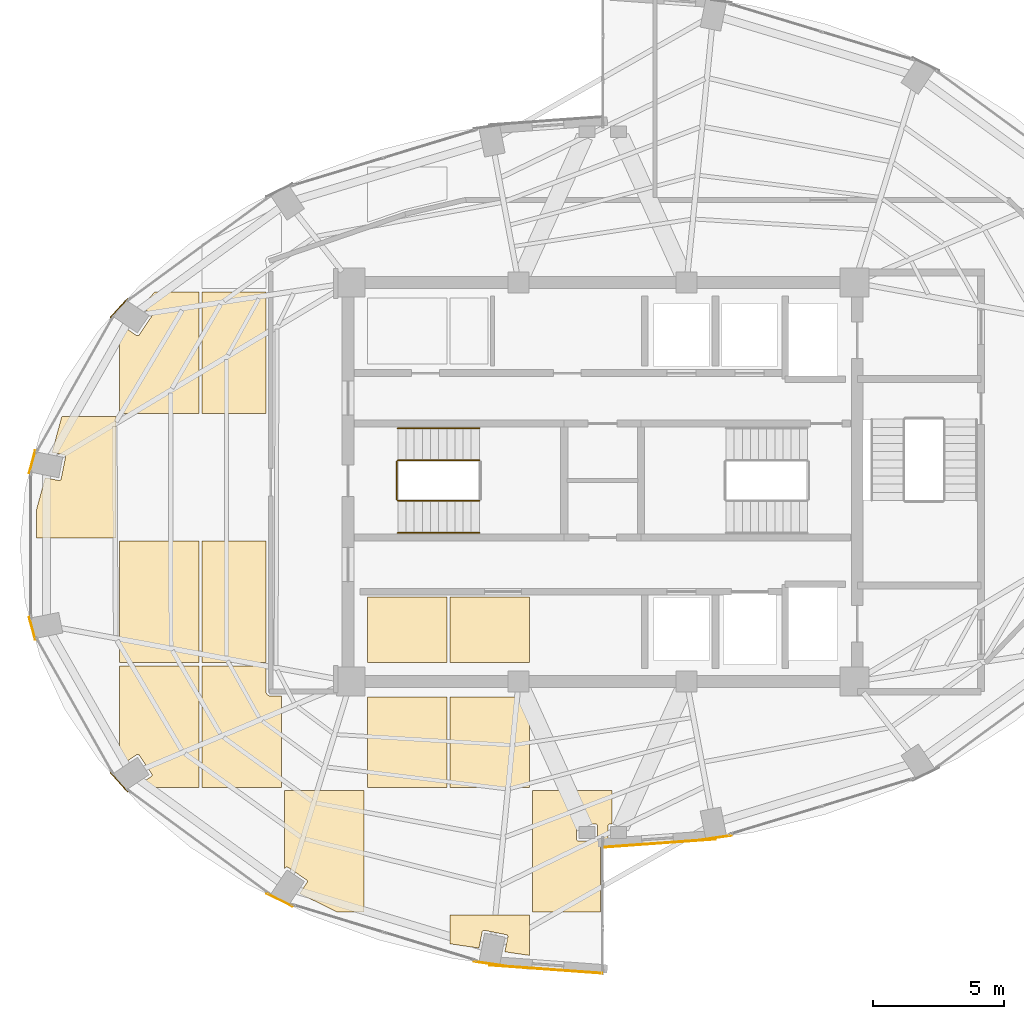
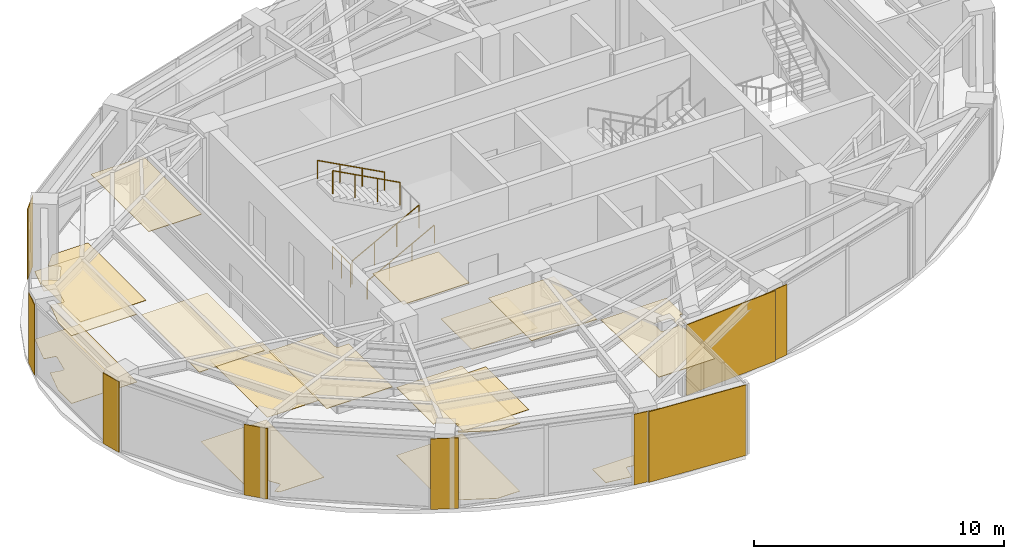
# One storey, part 21 of 22: 25 coverings, 5 railings.
"""IFC4 building model written with IfcOpenShell, lengths in metres."""

from ifc_helpers import new_model, si_unit, direction, frame, origin, origin_2d, place, context, subcontext, project, spatial, polyline, rectangle, circle, outline, extrude, material, layer, layer_set, type_object, element, save


model = new_model("IFC4")

# Units and contexts
model_context = context("Model", 3, precision=1e-05, world=origin(), true_north=direction((0.0, 1.0)))
body_context = subcontext(model_context, "Body", "Model", "MODEL_VIEW")
ifc_project = project(units=[si_unit("LENGTHUNIT", "METRE"), si_unit("AREAUNIT", "SQUARE_METRE"), si_unit("VOLUMEUNIT", "CUBIC_METRE"), si_unit("PLANEANGLEUNIT", "RADIAN"), si_unit("MASSUNIT", "GRAM", prefix="KILO")], contexts=[model_context])

# Site, building, storey
site_placement = place(None, origin())
site = spatial("IfcSite", under=ifc_project, at=site_placement, CompositionType="ELEMENT")
building_placement = place(site_placement, origin())
building = spatial("IfcBuilding", under=site, at=building_placement, Name="Lazwardi Medical Tower", CompositionType="ELEMENT")
storey_placement = place(building_placement, frame((0.0, 0.0, 255.02392578125)))
storey = spatial("IfcBuildingStorey", under=building, at=storey_placement, Name="L66", CompositionType="ELEMENT", Elevation=255.02392578125)

# Coverings
ifc_material_1 = material(Name="Anodised bronze aluminium cassette cladding", Category="aluminium")
ifc_layer_1 = layer(ifc_material_1, 0.030029296875)
ifc_layer_set_1 = layer_set([ifc_layer_1], Name="Anodised bronze aluminium cassette cladding")
covering_type_1 = type_object("IfcCoveringType", Name="COV-CLD-BRZ", PredefinedType="CLADDING", material=ifc_layer_set_1)
covering_1_placement = place(storey_placement, frame((40.3232421875, 14.450439453125, 0.0), z_axis=(0.0, 0.0, 1.0), x_axis=(0.989512431533, 0.144447733943, 0.0)))
element("IfcCovering", 1, at=covering_1_placement, inside=storey, type_object=covering_type_1, Name="L66 Mega-column bronze cassette cover M01", PredefinedType="CLADDING", context=body_context, shape_type="SweptSolid", body=[
    extrude(rectangle(XDim=1.188720703125, YDim=0.030029296875, at=origin_2d()), origin(), (0.0, 0.0, 1.0), 3.447998046875),
])
covering_2_placement = place(storey_placement, frame((17.57470703125, 34.634765625, 0.0), z_axis=(0.0, 0.0, 1.0), x_axis=(-0.673240970654, -0.739423150458, 0.0)))
element("IfcCovering", 2, at=covering_2_placement, inside=storey, type_object=covering_type_1, Name="L66 Mega-column bronze cassette cover M11", PredefinedType="CLADDING", context=body_context, shape_type="SweptSolid", body=[
    extrude(rectangle(XDim=0.98974609375, YDim=0.030029296875, at=origin_2d()), origin(), (0.0, 0.0, 1.0), 3.447998046875),
])
for number, where, z_axis, x_axis, name in (
    (3, (14.265869140625, 28.772705078125, 0.0), (0.0, 0.0, 1.0), (-0.261641748247, -0.96516506131, 0.0), "L66 Mega-column bronze cassette cover M12"),
    (4, (14.265869140625, 22.427490234375, 0.0), (0.0, 0.0, 1.0), (0.261641748247, -0.96516506131, 0.0), "L66 Mega-column bronze cassette cover M13"),
):
    element("IfcCovering", number, at=place(storey_placement, frame(where, z_axis=z_axis, x_axis=x_axis)), inside=storey, type_object=covering_type_1, Name=name, PredefinedType="CLADDING", context=body_context, shape_type="SweptSolid", body=[
        extrude(rectangle(XDim=0.894287109375, YDim=0.030029296875, at=origin_2d()), origin(), (0.0, 0.0, 1.0), 3.447998046875),
    ])
covering_3_placement = place(storey_placement, frame((17.57470703125, 16.565185546875, 0.0), z_axis=(0.0, 0.0, 1.0), x_axis=(0.673240970654, -0.739423150458, 0.0)))
element("IfcCovering", 5, at=covering_3_placement, inside=storey, type_object=covering_type_1, Name="L66 Mega-column bronze cassette cover M14", PredefinedType="CLADDING", context=body_context, shape_type="SweptSolid", body=[
    extrude(rectangle(XDim=0.98974609375, YDim=0.030029296875, at=origin_2d()), origin(), (0.0, 0.0, 1.0), 3.447998046875),
])
covering_4_placement = place(storey_placement, frame((23.688720703125, 12.07861328125, 0.0), z_axis=(0.0, 0.0, 1.0), x_axis=(0.897840141691, -0.440321564278, 0.0)))
element("IfcCovering", 6, at=covering_4_placement, inside=storey, type_object=covering_type_1, Name="L66 Mega-column bronze cassette cover M15", PredefinedType="CLADDING", context=body_context, shape_type="SweptSolid", body=[
    extrude(rectangle(XDim=1.110595703125, YDim=0.030029296875, at=origin_2d()), origin(), (0.0, 0.0, 1.0), 3.447998046875),
])
covering_5_placement = place(storey_placement, frame((31.6767578125, 9.650390625, 0.0), z_axis=(0.0, 0.0, 1.0), x_axis=(0.989512431533, -0.144447733943, 0.0)))
element("IfcCovering", 7, at=covering_5_placement, inside=storey, type_object=covering_type_1, Name="L66 Mega-column bronze cassette cover M16", PredefinedType="CLADDING", context=body_context, shape_type="SweptSolid", body=[
    extrude(rectangle(XDim=1.188720703125, YDim=0.030029296875, at=origin_2d()), origin(), (0.0, 0.0, 1.0), 3.447998046875),
])
ifc_material_2 = material(Name="Turquoise glazed ceramic tilework cladding", Category="masonry")
ifc_layer_2 = layer(ifc_material_2, 0.034912109375)
ifc_layer_set_2 = layer_set([ifc_layer_2], Name="Turquoise glazed ceramic tilework cladding")
covering_type_2 = type_object("IfcCoveringType", Name="COV-CLD-TRQ", PredefinedType="CLADDING", material=ifc_layer_set_2)
covering_6_placement = place(storey_placement, frame((38.16259765625, 14.239990234375, 0.0), z_axis=(0.0, 0.0, 1.0), x_axis=(0.997409491337, 0.071932653157, 0.0)))
element("IfcCovering", 8, at=covering_6_placement, inside=storey, type_object=covering_type_2, Name="L66 Turquoise glazed ceramic tilework cladding", PredefinedType="CLADDING", context=body_context, shape_type="SweptSolid", body=[
    extrude(rectangle(XDim=4.31103515625, YDim=0.034912109375, at=origin_2d()), origin(), (0.0, 0.0, 1.0), 3.447998046875),
])
covering_7_placement = place(storey_placement, frame((33.83740234375, 9.43994140625, 0.0), z_axis=(0.0, 0.0, 1.0), x_axis=(0.997408989128, -0.071939616387, 0.0)))
element("IfcCovering", 9, at=covering_7_placement, inside=storey, type_object=covering_type_2, Name="L66 Turquoise glazed ceramic tilework cladding", PredefinedType="CLADDING", context=body_context, shape_type="SweptSolid", body=[
    extrude(rectangle(XDim=4.310546875, YDim=0.034912109375, at=origin_2d()), origin(), (0.0, 0.0, 1.0), 3.447998046875),
])
ifc_material_3 = material(Name="Acoustic mineral fibre tile")
ifc_layer_3 = layer(ifc_material_3, 0.02490234375)
ifc_layer_set_3 = layer_set([ifc_layer_3], Name="Acoustic mineral fibre tile")
covering_type_3 = type_object("IfcCoveringType", Name="COV-CLG-01", PredefinedType="CEILING", material=ifc_layer_set_3)
covering_8_placement = place(storey_placement, frame((0.0, 0.0, 3.302978515625)))
element("IfcCovering", 10, at=covering_8_placement, inside=storey, type_object=covering_type_3, Name="L66 Clinical Acoustic Ceiling 1", PredefinedType="CEILING", context=body_context, shape_type="SweptSolid", body=[
    extrude(outline(polyline([(15.39501953125, 30.50244140625), (15.0224609375, 29.13134765625), (15.4716796875, 29.0419921875), (15.479248046875, 29.040283203125), (15.486572265625, 29.03759765625), (15.49365234375, 29.0341796875), (15.50048828125, 29.030029296875), (15.5068359375, 29.025390625), (15.5126953125, 29.020263671875), (15.517822265625, 29.014404296875), (15.5224609375, 29.008056640625), (15.526611328125, 29.001220703125), (15.52978515625, 28.994140625), (15.53271484375, 28.98681640625), (15.534423828125, 28.979248046875), (15.53564453125, 28.971435546875), (15.535888671875, 28.963623046875), (15.53564453125, 28.955810546875), (15.534423828125, 28.947998046875), (15.37060546875, 28.124267578125), (15.36865234375, 28.11669921875), (15.365966796875, 28.109130859375), (15.36279296875, 28.10205078125), (15.358642578125, 28.095458984375), (15.35400390625, 28.089111328125), (15.3486328125, 28.083251953125), (15.343017578125, 28.077880859375), (15.33642578125, 28.0732421875), (15.329833984375, 28.069091796875), (15.32275390625, 28.06591796875), (15.315185546875, 28.063232421875), (15.3076171875, 28.061279296875), (15.2998046875, 28.060302734375), (15.2919921875, 28.059814453125), (15.2841796875, 28.060302734375), (15.276611328125, 28.061279296875), (14.759521484375, 28.1640625), (14.432861328125, 26.961669921875), (14.432861328125, 25.87255859375), (17.462890625, 25.87255859375), (17.462890625, 30.50244140625), (15.39501953125, 30.50244140625)])), origin(), (0.0, 0.0, 1.0), 0.025146484375),
])
covering_9_placement = place(storey_placement, frame((0.0, 0.0, 3.302978515625)))
element("IfcCovering", 11, at=covering_9_placement, inside=storey, type_object=covering_type_3, Name="L66 Clinical Acoustic Ceiling 2", PredefinedType="CEILING", context=body_context, shape_type="SweptSolid", body=[
    extrude(outline(polyline([(20.61279296875, 21.12255859375), (20.61279296875, 25.75244140625), (17.5830078125, 25.75244140625), (17.5830078125, 21.12255859375), (20.61279296875, 21.12255859375)])), origin(), (0.0, 0.0, 1.0), 0.025146484375),
])
covering_10_placement = place(storey_placement, frame((0.0, 0.0, 3.302978515625)))
element("IfcCovering", 12, at=covering_10_placement, inside=storey, type_object=covering_type_3, Name="L66 Clinical Acoustic Ceiling 3", PredefinedType="CEILING", context=body_context, shape_type="SweptSolid", body=[
    extrude(outline(polyline([(23.762939453125, 19.844970703125), (23.35009765625, 19.844970703125), (23.345703125, 19.84521484375), (23.33642578125, 19.845703125), (23.32958984375, 19.84619140625), (23.3203125, 19.84765625), (23.31201171875, 19.84912109375), (23.302734375, 19.8515625), (23.2958984375, 19.853515625), (23.287109375, 19.856689453125), (23.279296875, 19.860107421875), (23.270751953125, 19.864013671875), (23.263916015625, 19.86767578125), (23.256103515625, 19.872314453125), (23.249267578125, 19.876953125), (23.24169921875, 19.882568359375), (23.236083984375, 19.88720703125), (23.229248046875, 19.893310546875), (23.223388671875, 19.8994140625), (23.217041015625, 19.90625), (23.21240234375, 19.911865234375), (23.206787109375, 19.919189453125), (23.202392578125, 19.926025390625), (23.197509765625, 19.93408203125), (23.194091796875, 19.94091796875), (23.18994140625, 19.94921875), (23.186767578125, 19.95703125), (23.18359375, 19.9658203125), (23.181396484375, 19.972900390625), (23.17919921875, 19.98193359375), (23.177490234375, 19.990234375), (23.17626953125, 19.99951171875), (23.175537109375, 20.00634765625), (23.175048828125, 20.015625), (23.175048828125, 20.02001953125), (23.175048828125, 21.00244140625), (20.73291015625, 21.00244140625), (20.73291015625, 16.37255859375), (23.762939453125, 16.37255859375), (23.762939453125, 19.844970703125)])), origin(), (0.0, 0.0, 1.0), 0.025146484375),
])
covering_11_placement = place(storey_placement, frame((0.0, 0.0, 3.302978515625)))
element("IfcCovering", 13, at=covering_11_placement, inside=storey, type_object=covering_type_3, Name="L66 Clinical Acoustic Ceiling 4", PredefinedType="CEILING", context=body_context, shape_type="SweptSolid", body=[
    extrude(outline(polyline([(23.175048828125, 30.62255859375), (23.175048828125, 35.25244140625), (20.73291015625, 35.25244140625), (20.73291015625, 30.62255859375), (23.175048828125, 30.62255859375)])), origin(), (0.0, 0.0, 1.0), 0.025146484375),
])
covering_12_placement = place(storey_placement, frame((0.0, 0.0, 3.302978515625)))
element("IfcCovering", 14, at=covering_12_placement, inside=storey, type_object=covering_type_3, Name="L66 Clinical Acoustic Ceiling 5", PredefinedType="CEILING", context=body_context, shape_type="SweptSolid", body=[
    extrude(outline(polyline([(23.8828125, 13.27099609375), (23.900634765625, 13.297607421875), (23.905517578125, 13.303955078125), (23.91064453125, 13.309814453125), (23.91650390625, 13.31494140625), (23.9228515625, 13.319580078125), (23.929443359375, 13.32373046875), (23.9365234375, 13.3271484375), (23.944091796875, 13.329833984375), (23.95166015625, 13.331787109375), (23.95947265625, 13.332763671875), (23.96728515625, 13.333251953125), (23.97509765625, 13.332763671875), (23.98291015625, 13.331787109375), (23.990478515625, 13.329833984375), (23.997802734375, 13.3271484375), (24.0048828125, 13.32373046875), (24.01171875, 13.319580078125), (24.7099609375, 12.85302734375), (24.71630859375, 12.848388671875), (24.72216796875, 12.843017578125), (24.727294921875, 12.83740234375), (24.732177734375, 12.830810546875), (24.736083984375, 12.82421875), (24.739501953125, 12.817138671875), (24.7421875, 12.809814453125), (24.744140625, 12.802001953125), (24.7451171875, 12.794189453125), (24.74560546875, 12.78662109375), (24.7451171875, 12.77880859375), (24.744140625, 12.77099609375), (24.7421875, 12.76318359375), (24.739501953125, 12.755859375), (24.736083984375, 12.748779296875), (24.732177734375, 12.7421875), (24.4521484375, 12.322998046875), (25.8837890625, 11.62255859375), (26.912841796875, 11.62255859375), (26.912841796875, 16.25244140625), (23.8828125, 16.25244140625), (23.8828125, 13.27099609375)])), origin(), (0.0, 0.0, 1.0), 0.025146484375),
])
covering_13_placement = place(storey_placement, frame((0.0, 0.0, 3.302978515625)))
element("IfcCovering", 15, at=covering_13_placement, inside=storey, type_object=covering_type_3, Name="L66 Clinical Acoustic Ceiling 6", PredefinedType="CEILING", context=body_context, shape_type="SweptSolid", body=[
    extrude(outline(polyline([(30.06298828125, 23.6201171875), (27.032958984375, 23.6201171875), (27.032958984375, 21.12255859375), (30.06298828125, 21.12255859375), (30.06298828125, 23.6201171875)])), origin(), (0.0, 0.0, 1.0), 0.025146484375),
])
covering_14_placement = place(storey_placement, frame((0.0, 0.0, 3.302978515625)))
element("IfcCovering", 16, at=covering_14_placement, inside=storey, type_object=covering_type_3, Name="L66 Clinical Acoustic Ceiling 8", PredefinedType="CEILING", context=body_context, shape_type="SweptSolid", body=[
    extrude(outline(polyline([(33.212890625, 19.820068359375), (30.182861328125, 19.820068359375), (30.182861328125, 16.37255859375), (33.212890625, 16.37255859375), (33.212890625, 19.820068359375)])), origin(), (0.0, 0.0, 1.0), 0.025146484375),
])
covering_15_placement = place(storey_placement, frame((0.0, 0.0, 3.302978515625)))
element("IfcCovering", 17, at=covering_15_placement, inside=storey, type_object=covering_type_3, Name="L66 Clinical Acoustic Ceiling 10", PredefinedType="CEILING", context=body_context, shape_type="SweptSolid", body=[
    extrude(outline(polyline([(35.919921875, 11.62255859375), (35.919921875, 14.280029296875), (35.92041015625, 14.28759765625), (35.92138671875, 14.295166015625), (35.923095703125, 14.302490234375), (35.92578125, 14.309814453125), (35.928955078125, 14.316650390625), (35.9326171875, 14.3232421875), (35.93701171875, 14.329345703125), (35.94189453125, 14.335205078125), (35.947509765625, 14.34033203125), (35.95361328125, 14.34521484375), (35.9599609375, 14.34912109375), (35.966796875, 14.352783203125), (35.9736328125, 14.355712890625), (35.98095703125, 14.357666015625), (35.988525390625, 14.359130859375), (36.201416015625, 14.39013671875), (36.200439453125, 14.397216796875), (36.199951171875, 14.405029296875), (36.199951171875, 14.89501953125), (36.200439453125, 14.90283203125), (36.201416015625, 14.91064453125), (36.203369140625, 14.918212890625), (36.2060546875, 14.925537109375), (36.20947265625, 14.9326171875), (36.21337890625, 14.939453125), (36.21826171875, 14.94580078125), (36.223388671875, 14.95166015625), (36.229248046875, 14.956787109375), (36.235595703125, 14.96142578125), (36.2421875, 14.965576171875), (36.24951171875, 14.968994140625), (36.2568359375, 14.9716796875), (36.264404296875, 14.973388671875), (36.272216796875, 14.974609375), (36.280029296875, 14.97509765625), (36.36279296875, 14.97509765625), (36.36279296875, 16.25244140625), (33.3330078125, 16.25244140625), (33.3330078125, 11.62255859375), (35.919921875, 11.62255859375)]), holes=[polyline([(35.735595703125, 14.326416015625), (35.727783203125, 14.325439453125), (35.719970703125, 14.324951171875), (35.080078125, 14.324951171875), (35.072265625, 14.325439453125), (35.064453125, 14.326416015625), (35.056884765625, 14.328369140625), (35.04931640625, 14.3310546875), (35.042236328125, 14.33447265625), (35.03564453125, 14.33837890625), (35.029296875, 14.34326171875), (35.0234375, 14.348388671875), (35.018310546875, 14.354248046875), (35.013427734375, 14.360595703125), (35.009521484375, 14.3671875), (35.006103515625, 14.37451171875), (35.00341796875, 14.3818359375), (35.00146484375, 14.389404296875), (35.00048828125, 14.397216796875), (35.0, 14.405029296875), (35.0, 14.89501953125), (35.00048828125, 14.90283203125), (35.00146484375, 14.91064453125), (35.00341796875, 14.918212890625), (35.006103515625, 14.925537109375), (35.009521484375, 14.9326171875), (35.013427734375, 14.939453125), (35.018310546875, 14.94580078125), (35.0234375, 14.95166015625), (35.029296875, 14.956787109375), (35.03564453125, 14.96142578125), (35.042236328125, 14.965576171875), (35.04931640625, 14.968994140625), (35.056884765625, 14.9716796875), (35.064453125, 14.973388671875), (35.072265625, 14.974609375), (35.080078125, 14.97509765625), (35.719970703125, 14.97509765625), (35.727783203125, 14.974609375), (35.735595703125, 14.973388671875), (35.7431640625, 14.9716796875), (35.75048828125, 14.968994140625), (35.7578125, 14.965576171875), (35.764404296875, 14.96142578125), (35.770751953125, 14.956787109375), (35.776611328125, 14.95166015625), (35.78173828125, 14.94580078125), (35.78662109375, 14.939453125), (35.79052734375, 14.9326171875), (35.7939453125, 14.925537109375), (35.796630859375, 14.918212890625), (35.798583984375, 14.91064453125), (35.799560546875, 14.90283203125), (35.800048828125, 14.89501953125), (35.800048828125, 14.405029296875), (35.799560546875, 14.397216796875), (35.798583984375, 14.389404296875), (35.796630859375, 14.3818359375), (35.7939453125, 14.37451171875), (35.79052734375, 14.3671875), (35.78662109375, 14.360595703125), (35.78173828125, 14.354248046875), (35.776611328125, 14.348388671875), (35.770751953125, 14.34326171875), (35.764404296875, 14.33837890625), (35.7578125, 14.33447265625), (35.75048828125, 14.3310546875), (35.7431640625, 14.328369140625), (35.735595703125, 14.326416015625)])]), origin(), (0.0, 0.0, 1.0), 0.025146484375),
])
ifc_material_4 = material(Name="Anti-static hospital vinyl sheet flooring")
ifc_layer_4 = layer(ifc_material_4, 0.014892578125)
ifc_layer_set_4 = layer_set([ifc_layer_4], Name="Anti-static hospital vinyl sheet flooring")
covering_type_4 = type_object("IfcCoveringType", Name="COV-FLR-01", PredefinedType="FLOORING", material=ifc_layer_set_4)
covering_16_placement = place(storey_placement, origin())
element("IfcCovering", 18, at=covering_16_placement, inside=storey, type_object=covering_type_4, Name="L66 Clinical Vinyl Flooring 1", PredefinedType="FLOORING", context=body_context, shape_type="SweptSolid", body=[
    extrude(outline(polyline([(15.39501953125, 30.50244140625), (15.0224609375, 29.13134765625), (15.4716796875, 29.0419921875), (15.479248046875, 29.040283203125), (15.486572265625, 29.03759765625), (15.49365234375, 29.0341796875), (15.50048828125, 29.030029296875), (15.5068359375, 29.025390625), (15.5126953125, 29.020263671875), (15.517822265625, 29.014404296875), (15.5224609375, 29.008056640625), (15.526611328125, 29.001220703125), (15.52978515625, 28.994140625), (15.53271484375, 28.98681640625), (15.534423828125, 28.979248046875), (15.53564453125, 28.971435546875), (15.535888671875, 28.963623046875), (15.53564453125, 28.955810546875), (15.534423828125, 28.947998046875), (15.37060546875, 28.124267578125), (15.36865234375, 28.11669921875), (15.365966796875, 28.109130859375), (15.36279296875, 28.10205078125), (15.358642578125, 28.095458984375), (15.35400390625, 28.089111328125), (15.3486328125, 28.083251953125), (15.343017578125, 28.077880859375), (15.33642578125, 28.0732421875), (15.329833984375, 28.069091796875), (15.32275390625, 28.06591796875), (15.315185546875, 28.063232421875), (15.3076171875, 28.061279296875), (15.2998046875, 28.060302734375), (15.2919921875, 28.059814453125), (15.2841796875, 28.060302734375), (15.276611328125, 28.061279296875), (14.759521484375, 28.1640625), (14.432861328125, 26.961669921875), (14.432861328125, 25.87255859375), (17.462890625, 25.87255859375), (17.462890625, 30.50244140625), (15.39501953125, 30.50244140625)])), origin(), (0.0, 0.0, 1.0), 0.01513671875),
])
covering_17_placement = place(storey_placement, origin())
element("IfcCovering", 19, at=covering_17_placement, inside=storey, type_object=covering_type_4, Name="L66 Clinical Vinyl Flooring 2", PredefinedType="FLOORING", context=body_context, shape_type="SweptSolid", body=[
    extrude(outline(polyline([(17.5830078125, 17.43896484375), (17.7333984375, 17.273681640625), (18.236572265625, 17.60986328125), (18.2431640625, 17.614013671875), (18.250244140625, 17.6171875), (18.2578125, 17.6201171875), (18.265380859375, 17.621826171875), (18.273193359375, 17.623046875), (18.281005859375, 17.623291015625), (18.288818359375, 17.623046875), (18.29638671875, 17.621826171875), (18.30419921875, 17.6201171875), (18.3115234375, 17.6171875), (18.318603515625, 17.614013671875), (18.3251953125, 17.60986328125), (18.33154296875, 17.605224609375), (18.33740234375, 17.60009765625), (18.3427734375, 17.59423828125), (18.347412109375, 17.587890625), (18.814208984375, 16.889404296875), (18.818115234375, 16.8828125), (18.821533203125, 16.87548828125), (18.82421875, 16.8681640625), (18.826171875, 16.860595703125), (18.8271484375, 16.852783203125), (18.82763671875, 16.844970703125), (18.8271484375, 16.837158203125), (18.826171875, 16.829345703125), (18.82421875, 16.82177734375), (18.821533203125, 16.814453125), (18.818115234375, 16.807373046875), (18.814208984375, 16.800537109375), (18.809326171875, 16.794189453125), (18.80419921875, 16.788330078125), (18.79833984375, 16.783203125), (18.7919921875, 16.778564453125), (18.415283203125, 16.52685546875), (18.55615234375, 16.37255859375), (20.61279296875, 16.37255859375), (20.61279296875, 21.00244140625), (17.5830078125, 21.00244140625), (17.5830078125, 17.43896484375)])), origin(), (0.0, 0.0, 1.0), 0.01513671875),
])
covering_18_placement = place(storey_placement, origin())
element("IfcCovering", 20, at=covering_18_placement, inside=storey, type_object=covering_type_4, Name="L66 Clinical Vinyl Flooring 3", PredefinedType="FLOORING", context=body_context, shape_type="SweptSolid", body=[
    extrude(outline(polyline([(18.944091796875, 35.25244140625), (18.415283203125, 34.673095703125), (18.7919921875, 34.42138671875), (18.79833984375, 34.416748046875), (18.80419921875, 34.41162109375), (18.809326171875, 34.40576171875), (18.814208984375, 34.3994140625), (18.818115234375, 34.392578125), (18.821533203125, 34.385498046875), (18.82421875, 34.378173828125), (18.826171875, 34.37060546875), (18.8271484375, 34.36279296875), (18.82763671875, 34.35498046875), (18.8271484375, 34.34716796875), (18.826171875, 34.33935546875), (18.82421875, 34.331787109375), (18.821533203125, 34.324462890625), (18.818115234375, 34.3173828125), (18.814208984375, 34.310546875), (18.347412109375, 33.6123046875), (18.3427734375, 33.605712890625), (18.33740234375, 33.60009765625), (18.33154296875, 33.5947265625), (18.3251953125, 33.590087890625), (18.318603515625, 33.5859375), (18.3115234375, 33.582763671875), (18.30419921875, 33.580078125), (18.29638671875, 33.578125), (18.288818359375, 33.576904296875), (18.281005859375, 33.57666015625), (18.273193359375, 33.576904296875), (18.265380859375, 33.578125), (18.2578125, 33.580078125), (18.250244140625, 33.582763671875), (18.2431640625, 33.5859375), (18.236572265625, 33.590087890625), (17.7333984375, 33.92626953125), (17.5830078125, 33.760986328125), (17.5830078125, 30.62255859375), (20.61279296875, 30.62255859375), (20.61279296875, 35.25244140625), (18.944091796875, 35.25244140625)])), origin(), (0.0, 0.0, 1.0), 0.01513671875),
])
covering_19_placement = place(storey_placement, origin())
element("IfcCovering", 21, at=covering_19_placement, inside=storey, type_object=covering_type_4, Name="L66 Clinical Vinyl Flooring 4", PredefinedType="FLOORING", context=body_context, shape_type="SweptSolid", body=[
    extrude(outline(polyline([(23.175048828125, 21.12255859375), (23.175048828125, 25.75244140625), (20.73291015625, 25.75244140625), (20.73291015625, 21.12255859375), (23.175048828125, 21.12255859375)])), origin(), (0.0, 0.0, 1.0), 0.01513671875),
])
covering_20_placement = place(storey_placement, origin())
element("IfcCovering", 22, at=covering_20_placement, inside=storey, type_object=covering_type_4, Name="L66 Clinical Vinyl Flooring 6", PredefinedType="FLOORING", context=body_context, shape_type="SweptSolid", body=[
    extrude(outline(polyline([(23.8828125, 13.27099609375), (23.900634765625, 13.297607421875), (23.905517578125, 13.303955078125), (23.91064453125, 13.309814453125), (23.91650390625, 13.31494140625), (23.9228515625, 13.319580078125), (23.929443359375, 13.32373046875), (23.9365234375, 13.3271484375), (23.944091796875, 13.329833984375), (23.95166015625, 13.331787109375), (23.95947265625, 13.332763671875), (23.96728515625, 13.333251953125), (23.97509765625, 13.332763671875), (23.98291015625, 13.331787109375), (23.990478515625, 13.329833984375), (23.997802734375, 13.3271484375), (24.0048828125, 13.32373046875), (24.01171875, 13.319580078125), (24.7099609375, 12.85302734375), (24.71630859375, 12.848388671875), (24.72216796875, 12.843017578125), (24.727294921875, 12.83740234375), (24.732177734375, 12.830810546875), (24.736083984375, 12.82421875), (24.739501953125, 12.817138671875), (24.7421875, 12.809814453125), (24.744140625, 12.802001953125), (24.7451171875, 12.794189453125), (24.74560546875, 12.78662109375), (24.7451171875, 12.77880859375), (24.744140625, 12.77099609375), (24.7421875, 12.76318359375), (24.739501953125, 12.755859375), (24.736083984375, 12.748779296875), (24.732177734375, 12.7421875), (24.4521484375, 12.322998046875), (25.8837890625, 11.62255859375), (26.912841796875, 11.62255859375), (26.912841796875, 16.25244140625), (23.8828125, 16.25244140625), (23.8828125, 13.27099609375)])), origin(), (0.0, 0.0, 1.0), 0.01513671875),
])
covering_21_placement = place(storey_placement, origin())
element("IfcCovering", 23, at=covering_21_placement, inside=storey, type_object=covering_type_4, Name="L66 Clinical Vinyl Flooring 7", PredefinedType="FLOORING", context=body_context, shape_type="SweptSolid", body=[
    extrude(outline(polyline([(30.06298828125, 19.820068359375), (27.04931640625, 19.820068359375), (27.048583984375, 19.814453125), (27.046630859375, 19.806884765625), (27.0439453125, 19.79931640625), (27.04052734375, 19.792236328125), (27.03662109375, 19.78564453125), (27.032958984375, 19.78076171875), (27.032958984375, 16.37255859375), (30.06298828125, 16.37255859375), (30.06298828125, 19.820068359375)])), origin(), (0.0, 0.0, 1.0), 0.01513671875),
])
covering_22_placement = place(storey_placement, origin())
element("IfcCovering", 24, at=covering_22_placement, inside=storey, type_object=covering_type_4, Name="L66 Clinical Vinyl Flooring 9", PredefinedType="FLOORING", context=body_context, shape_type="SweptSolid", body=[
    extrude(outline(polyline([(30.182861328125, 10.407958984375), (31.285400390625, 10.247314453125), (31.40673828125, 10.8583984375), (31.40869140625, 10.865966796875), (31.411376953125, 10.873291015625), (31.414794921875, 10.88037109375), (31.418701171875, 10.88720703125), (31.423583984375, 10.8935546875), (31.4287109375, 10.8994140625), (31.4345703125, 10.904541015625), (31.44091796875, 10.9091796875), (31.447509765625, 10.913330078125), (31.45458984375, 10.91650390625), (31.462158203125, 10.919189453125), (31.4697265625, 10.921142578125), (31.4775390625, 10.92236328125), (31.4853515625, 10.922607421875), (31.4931640625, 10.92236328125), (31.5009765625, 10.921142578125), (32.32470703125, 10.75732421875), (32.332275390625, 10.75537109375), (32.339599609375, 10.752685546875), (32.3466796875, 10.74951171875), (32.353515625, 10.745361328125), (32.35986328125, 10.740478515625), (32.36572265625, 10.7353515625), (32.370849609375, 10.7294921875), (32.37548828125, 10.72314453125), (32.379638671875, 10.716552734375), (32.383056640625, 10.70947265625), (32.3857421875, 10.701904296875), (32.3876953125, 10.6943359375), (32.388671875, 10.6865234375), (32.38916015625, 10.6787109375), (32.388671875, 10.6708984375), (32.3876953125, 10.6630859375), (32.276123046875, 10.10302734375), (33.212890625, 9.966796875), (33.212890625, 11.50244140625), (30.182861328125, 11.50244140625), (30.182861328125, 10.407958984375)])), origin(), (0.0, 0.0, 1.0), 0.01513671875),
])
covering_23_placement = place(storey_placement, origin())
element("IfcCovering", 25, at=covering_23_placement, inside=storey, type_object=covering_type_4, Name="L66 Clinical Vinyl Flooring 10", PredefinedType="FLOORING", context=body_context, shape_type="SweptSolid", body=[
    extrude(outline(polyline([(33.212890625, 23.6201171875), (30.182861328125, 23.6201171875), (30.182861328125, 21.12255859375), (33.212890625, 21.12255859375), (33.212890625, 23.6201171875)])), origin(), (0.0, 0.0, 1.0), 0.01513671875),
])

# Railings
ifc_material_5 = material(Name="Stainless steel Grade 316", Category="steel")
railing_type_1 = type_object("IfcRailingType", Name="RLG-GRD-1150", PredefinedType="GUARDRAIL", material=ifc_material_5)
railing_1_placement = place(storey_placement, frame((28.199951171875, 27.2900390625, 0.165771484375)))
element("IfcRailing", 26, at=railing_1_placement, inside=storey, type_object=railing_type_1, Name="L66 ST1 stair guard 1", PredefinedType="GUARDRAIL", context=body_context, shape_type="SweptSolid", body=[
    extrude(circle(Radius=0.02392578125, at=origin_2d()), frame((0.0, 0.0, 1.1259765625), z_axis=(0.881783298633, 0.0, 0.471654761719), x_axis=(0.0, 1.0, 0.0)), (0.0, 0.0, 1.0), 3.515625),
    extrude(circle(Radius=0.02099609375, at=origin_2d()), origin(), (0.0, 0.0, 1.0), 1.099853515625),
    extrude(circle(Radius=0.02099609375, at=origin_2d()), frame((1.033447265625, 0.0, 0.552734375)), (0.0, 0.0, 1.0), 1.099853515625),
    extrude(circle(Radius=0.02099609375, at=origin_2d()), frame((2.066650390625, 0.0, 1.10546875)), (0.0, 0.0, 1.0), 1.099853515625),
    extrude(circle(Radius=0.02099609375, at=origin_2d()), frame((3.10009765625, 0.0, 1.658203125)), (0.0, 0.0, 1.0), 1.099853515625),
])
railing_2_placement = place(storey_placement, frame((31.300048828125, 28.830078125, 1.989990234375)))
element("IfcRailing", 27, at=railing_2_placement, inside=storey, type_object=railing_type_1, Name="L66 ST1 stair guard 3", PredefinedType="GUARDRAIL", context=body_context, shape_type="SweptSolid", body=[
    extrude(circle(Radius=0.02392578125, at=origin_2d()), frame((0.0, 0.0, 1.1259765625), z_axis=(-0.881783298633, 0.0, 0.471654761719), x_axis=(0.0, -1.0, 0.0)), (0.0, 0.0, 1.0), 3.515625),
    extrude(circle(Radius=0.02099609375, at=origin_2d()), origin(), (0.0, 0.0, 1.0), 1.099853515625),
    extrude(circle(Radius=0.02099609375, at=origin_2d()), frame((-1.033447265625, 0.0, 0.552734375)), (0.0, 0.0, 1.0), 1.099853515625),
    extrude(circle(Radius=0.02099609375, at=origin_2d()), frame((-2.066650390625, 0.0, 1.10546875)), (0.0, 0.0, 1.0), 1.099853515625),
    extrude(circle(Radius=0.02099609375, at=origin_2d()), frame((-3.10009765625, 0.0, 1.658203125)), (0.0, 0.0, 1.0), 1.099853515625),
])
railing_3_placement = place(storey_placement, frame((28.14990234375, 27.340087890625, 0.0)))
element("IfcRailing", 28, at=railing_3_placement, inside=storey, type_object=railing_type_1, Name="L66 ST1 stair guard 4", PredefinedType="GUARDRAIL", context=body_context, shape_type="SweptSolid", body=[
    extrude(circle(Radius=0.02392578125, at=origin_2d()), frame((0.0, 0.0, 1.1259765625), z_axis=(0.0, 1.0, 0.0), x_axis=(-1.0, 0.0, 0.0)), (0.0, 0.0, 1.0), 1.43994140625),
    extrude(circle(Radius=0.02099609375, at=origin_2d()), origin(), (0.0, 0.0, 1.0), 1.099853515625),
    extrude(circle(Radius=0.02099609375, at=origin_2d()), frame((0.0, 0.719970703125, 0.0)), (0.0, 0.0, 1.0), 1.099853515625),
    extrude(circle(Radius=0.02099609375, at=origin_2d()), frame((0.0, 1.43994140625, 0.0)), (0.0, 0.0, 1.0), 1.099853515625),
])
railing_type_2 = type_object("IfcRailingType", Name="RLG-HND-920", PredefinedType="HANDRAIL", material=ifc_material_5)
railing_4_placement = place(storey_placement, frame((28.199951171875, 26.070068359375, 0.165771484375)))
element("IfcRailing", 29, at=railing_4_placement, inside=storey, type_object=railing_type_2, Name="L66 ST1 stair handrail 1", PredefinedType="HANDRAIL", context=body_context, shape_type="SweptSolid", body=[
    extrude(circle(Radius=0.02392578125, at=origin_2d()), frame((0.0, 0.0, 0.8857421875), z_axis=(0.881783298633, 0.0, 0.471654761719), x_axis=(0.0, 1.0, 0.0)), (0.0, 0.0, 1.0), 3.515625),
    extrude(circle(Radius=0.02099609375, at=origin_2d()), origin(), (0.0, 0.0, 1.0), 0.85986328125),
    extrude(circle(Radius=0.02099609375, at=origin_2d()), frame((1.033447265625, 0.0, 0.552734375)), (0.0, 0.0, 1.0), 0.85986328125),
    extrude(circle(Radius=0.02099609375, at=origin_2d()), frame((2.066650390625, 0.0, 1.10546875)), (0.0, 0.0, 1.0), 0.85986328125),
    extrude(circle(Radius=0.02099609375, at=origin_2d()), frame((3.10009765625, 0.0, 1.658203125)), (0.0, 0.0, 1.0), 0.85986328125),
])
railing_5_placement = place(storey_placement, frame((31.300048828125, 30.050048828125, 1.989990234375)))
element("IfcRailing", 30, at=railing_5_placement, inside=storey, type_object=railing_type_2, Name="L66 ST1 stair handrail 2", PredefinedType="HANDRAIL", context=body_context, shape_type="SweptSolid", body=[
    extrude(circle(Radius=0.02392578125, at=origin_2d()), frame((0.0, 0.0, 0.8857421875), z_axis=(-0.881783298633, 0.0, 0.471654761719), x_axis=(0.0, -1.0, 0.0)), (0.0, 0.0, 1.0), 3.515625),
    extrude(circle(Radius=0.02099609375, at=origin_2d()), origin(), (0.0, 0.0, 1.0), 0.85986328125),
    extrude(circle(Radius=0.02099609375, at=origin_2d()), frame((-1.033447265625, 0.0, 0.552734375)), (0.0, 0.0, 1.0), 0.85986328125),
    extrude(circle(Radius=0.02099609375, at=origin_2d()), frame((-2.066650390625, 0.0, 1.10546875)), (0.0, 0.0, 1.0), 0.85986328125),
    extrude(circle(Radius=0.02099609375, at=origin_2d()), frame((-3.10009765625, 0.0, 1.658203125)), (0.0, 0.0, 1.0), 0.85986328125),
])

save(model, "model.ifc")
